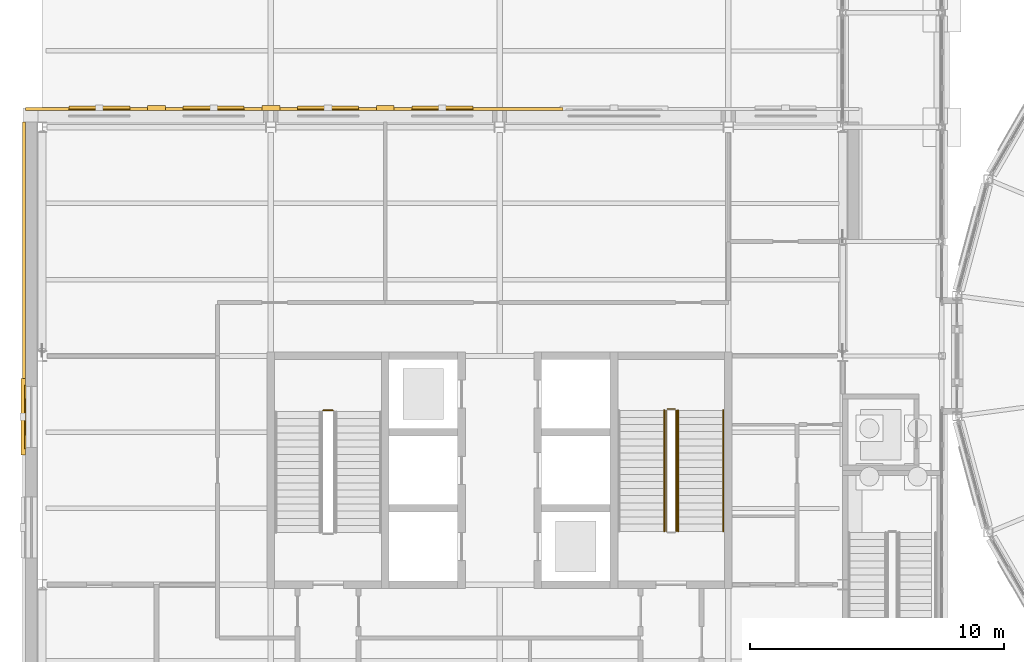
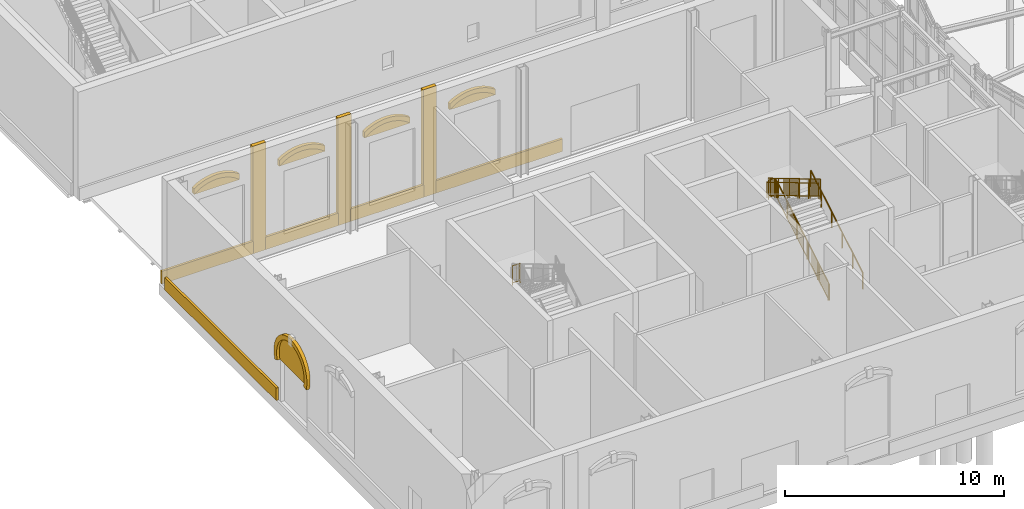
# One storey, part 91 of 106: 18 coverings, 7 railings.
"""IFC4 building model written with IfcOpenShell, lengths in metres."""

from ifc_helpers import new_model, si_unit, direction, frame, origin, origin_2d, place, context, subcontext, project, spatial, polyline, rectangle, circle, outline, extrude, material, layer, layer_set, type_object, element, save


model = new_model("IFC4")

# Units and contexts
model_context = context("Model", 3, precision=1e-05, world=origin(), true_north=direction((0.0, 1.0)))
body_context = subcontext(model_context, "Body", "Model", "MODEL_VIEW")
ifc_project = project(units=[si_unit("LENGTHUNIT", "METRE"), si_unit("AREAUNIT", "SQUARE_METRE"), si_unit("VOLUMEUNIT", "CUBIC_METRE"), si_unit("PLANEANGLEUNIT", "RADIAN"), si_unit("MASSUNIT", "GRAM", prefix="KILO")], contexts=[model_context])

# Site, building, storey
site_placement = place(None, origin())
site = spatial("IfcSite", under=ifc_project, at=site_placement, CompositionType="ELEMENT")
building_placement = place(site_placement, origin())
building = spatial("IfcBuilding", under=site, at=building_placement, Name="Hortulan Conservatory and Botanical Research Centre", CompositionType="ELEMENT")
storey_placement = place(building_placement, origin())
storey = spatial("IfcBuildingStorey", under=building, at=storey_placement, Name="L00", CompositionType="ELEMENT", Elevation=0.0)

# Coverings
ifc_material_1 = material(Name="Sandstone masonry (Hawkesbury yellow block)", Category="masonry")
ifc_layer_1 = layer(ifc_material_1, 0.1201171875)
ifc_layer_set_1 = layer_set([ifc_layer_1], Name="Rusticated Sandstone Base Course 700x120")
covering_type_1 = type_object("IfcCoveringType", Name="Rusticated Sandstone Base Course 700x120", PredefinedType="CLADDING", material=ifc_layer_set_1)
covering_1_placement = place(storey_placement, frame((-0.7099609375, 22.10009765625, 0.0), z_axis=(0.0, 0.0, 1.0), x_axis=(0.0, 1.0, 0.0)))
element("IfcCovering", 1, at=covering_1_placement, inside=storey, type_object=covering_type_1, Name="String course", PredefinedType="CLADDING", context=body_context, shape_type="SweptSolid", body=[
    extrude(rectangle(XDim=10.199951171875, YDim=0.1201171875, at=origin_2d()), origin(), (0.0, 0.0, 1.0), 0.699951171875),
])
covering_2_placement = place(storey_placement, frame((1.764892578125, 27.720947265625, 0.0), z_axis=(0.0, 0.0, 1.0), x_axis=(1.0, 0.0, 0.0)))
element("IfcCovering", 2, at=covering_2_placement, inside=storey, type_object=covering_type_1, Name="String course", PredefinedType="CLADDING", context=body_context, shape_type="SweptSolid", body=[
    extrude(rectangle(XDim=4.830078125, YDim=0.1201171875, at=origin_2d()), origin(), (0.0, 0.0, 1.0), 0.699951171875),
])
for number, where, z_axis, x_axis, name in (
    (3, (6.75, 27.720947265625, 0.0), (0.0, 0.0, 1.0), (1.0, 0.0, 0.0), "String course"),
    (4, (11.25, 27.720947265625, 0.0), (0.0, 0.0, 1.0), (1.0, 0.0, 0.0), "String course"),
):
    element("IfcCovering", number, at=place(storey_placement, frame(where, z_axis=z_axis, x_axis=x_axis)), inside=storey, type_object=covering_type_1, Name=name, PredefinedType="CLADDING", context=body_context, shape_type="SweptSolid", body=[
        extrude(rectangle(XDim=3.860107421875, YDim=0.1201171875, at=origin_2d()), origin(), (0.0, 0.0, 1.0), 0.699951171875),
    ])
covering_3_placement = place(storey_placement, frame((17.159912109375, 27.720947265625, 0.0), z_axis=(0.0, 0.0, 1.0), x_axis=(1.0, 0.0, 0.0)))
element("IfcCovering", 5, at=covering_3_placement, inside=storey, type_object=covering_type_1, Name="String course", PredefinedType="CLADDING", context=body_context, shape_type="SweptSolid", body=[
    extrude(rectangle(XDim=6.679931640625, YDim=0.1201171875, at=origin_2d()), origin(), (0.0, 0.0, 1.0), 0.699951171875),
])
ifc_layer_2 = layer(ifc_material_1, 0.179931640625)
ifc_layer_set_2 = layer_set([ifc_layer_2], Name="Sandstone Arch Band 250")
covering_type_2 = type_object("IfcCoveringType", Name="Sandstone Arch Band 250", PredefinedType="CLADDING", material=ifc_layer_set_2)
for number, where, z_axis, x_axis, name in (
    (6, (1.050048828125, 27.7509765625, 4.39990234375), (0.0, 0.0, 1.0), (1.0, 0.0, 0.0), "Arched window head"),
    (7, (5.550048828125, 27.7509765625, 4.39990234375), (0.0, 0.0, 1.0), (1.0, 0.0, 0.0), "Arched window head"),
    (8, (10.050048828125, 27.7509765625, 4.39990234375), (0.0, 0.0, 1.0), (1.0, 0.0, 0.0), "Arched window head"),
    (9, (14.550048828125, 27.7509765625, 4.39990234375), (0.0, 0.0, 1.0), (1.0, 0.0, 0.0), "Arched window head"),
):
    element("IfcCovering", number, at=place(storey_placement, frame(where, z_axis=z_axis, x_axis=x_axis)), inside=storey, type_object=covering_type_2, Name=name, PredefinedType="CLADDING", context=body_context, shape_type="SweptSolid", body=[
        extrude(outline(polyline([(0.0, 0.0), (0.239990234375, 0.17724609375), (0.47998046875, 0.302001953125), (0.719970703125, 0.3857421875), (0.9599609375, 0.434326171875), (1.199951171875, 0.4501953125), (1.43994140625, 0.434326171875), (1.679931640625, 0.3857421875), (1.919921875, 0.302001953125), (2.159912109375, 0.17724609375), (2.39990234375, 0.0), (2.39990234375, 0.31787109375), (2.159912109375, 0.464599609375), (1.919921875, 0.5712890625), (1.679931640625, 0.643798828125), (1.43994140625, 0.686279296875), (1.199951171875, 0.7001953125), (0.9599609375, 0.686279296875), (0.719970703125, 0.643798828125), (0.47998046875, 0.5712890625), (0.239990234375, 0.464599609375), (0.0, 0.31787109375), (0.0, 0.0)])), frame((0.0, 0.08984375, 0.0), z_axis=(0.0, -1.0, 0.0), x_axis=(1.0, 0.0, 0.0)), (0.0, 0.0, 1.0), 0.179931640625),
    ])
ifc_layer_3 = layer(ifc_material_1, 0.179931640625)
ifc_layer_set_3 = layer_set([ifc_layer_3], Name="Sandstone Horseshoe Band 250")
covering_type_3 = type_object("IfcCoveringType", Name="Sandstone Horseshoe Band 250", PredefinedType="CLADDING", material=ifc_layer_set_3)
covering_4_placement = place(storey_placement, frame((-0.739990234375, 14.088134765625, 2.32275390625), z_axis=(0.0, 0.0, 1.0), x_axis=(0.0, 1.0, 0.0)))
element("IfcCovering", 10, at=covering_4_placement, inside=storey, type_object=covering_type_3, Name="Horseshoe entrance head", PredefinedType="CLADDING", context=body_context, shape_type="SweptSolid", body=[
    extrude(outline(polyline([(0.311767578125, 0.0771484375), (0.2568359375, 0.335205078125), (0.2568359375, 0.59912109375), (0.311767578125, 0.85693359375), (0.4189453125, 1.09814453125), (0.57421875, 1.3115234375), (0.77001953125, 1.488037109375), (0.99853515625, 1.619873046875), (1.24951171875, 1.701416015625), (1.51171875, 1.72900390625), (1.774169921875, 1.701416015625), (2.02490234375, 1.619873046875), (2.25341796875, 1.488037109375), (2.449462890625, 1.3115234375), (2.6044921875, 1.09814453125), (2.7119140625, 0.85693359375), (2.7666015625, 0.59912109375), (2.7666015625, 0.335205078125), (2.7119140625, 0.0771484375), (2.949462890625, 0.0), (3.01513671875, 0.30908203125), (3.01513671875, 0.625244140625), (2.949462890625, 0.934326171875), (2.821044921875, 1.22314453125), (2.63525390625, 1.478759765625), (2.400390625, 1.690185546875), (2.126708984375, 1.84814453125), (1.826171875, 1.94580078125), (1.51171875, 1.97900390625), (1.197509765625, 1.94580078125), (0.89697265625, 1.84814453125), (0.623291015625, 1.690185546875), (0.38818359375, 1.478759765625), (0.202392578125, 1.22314453125), (0.073974609375, 0.934326171875), (0.00830078125, 0.625244140625), (0.00830078125, 0.30908203125), (0.073974609375, 0.0), (0.311767578125, 0.0771484375)])), frame((0.0, 0.08984375, 0.0), z_axis=(0.0, -1.0, 0.0), x_axis=(1.0, 0.0, 0.0)), (0.0, 0.0, 1.0), 0.179931640625),
])
ifc_layer_4 = layer(ifc_material_1, 0.199951171875)
ifc_layer_set_4 = layer_set([ifc_layer_4], Name="Sandstone Pilaster 700x200")
covering_type_4 = type_object("IfcCoveringType", Name="Sandstone Pilaster 700x200", PredefinedType="CLADDING", material=ifc_layer_set_4)
for number, where, z_axis, x_axis, name in (
    (11, (4.5, 27.760986328125, 0.0), (0.0, 0.0, 1.0), (1.0, 0.0, 0.0), "Pier"),
    (12, (9.0, 27.760986328125, 0.0), (0.0, 0.0, 1.0), (1.0, 0.0, 0.0), "Pier"),
    (13, (13.5, 27.760986328125, 0.0), (0.0, 0.0, 1.0), (1.0, 0.0, 0.0), "Pier"),
):
    element("IfcCovering", number, at=place(storey_placement, frame(where, z_axis=z_axis, x_axis=x_axis)), inside=storey, type_object=covering_type_4, Name=name, PredefinedType="CLADDING", context=body_context, shape_type="SweptSolid", body=[
        extrude(rectangle(XDim=0.699951171875, YDim=0.199951171875, at=origin_2d()), origin(), (0.0, 0.0, 1.0), 6.0),
    ])

# Railings
ifc_material_2 = material(Name="Steel balustrade, bronze-charcoal paint", Category="steel")
railing_type_1 = type_object("IfcRailingType", Name="Stair Guard 1100", PredefinedType="GUARDRAIL", material=ifc_material_2)
railing_1_placement = place(storey_placement, frame((11.449951171875, 15.860107421875, 3.0)))
element("IfcRailing", 14, at=railing_1_placement, inside=storey, type_object=railing_type_1, Name="Guard T1 L00 stair 2", PredefinedType="GUARDRAIL", context=body_context, shape_type="SweptSolid", body=[
    extrude(circle(Radius=0.02392578125, at=origin_2d()), frame((0.0, 0.0, 1.076171875), z_axis=(-1.0, 0.0, 0.0), x_axis=(0.0, -1.0, 0.0)), (0.0, 0.0, 1.0), 0.39990234375),
    extrude(circle(Radius=0.02392578125, at=origin_2d()), frame((0.0, 0.0, 0.1240234375), z_axis=(-1.0, 0.0, 0.0), x_axis=(0.0, -1.0, 0.0)), (0.0, 0.0, 1.0), 0.39990234375),
    extrude(circle(Radius=0.008056640625, at=origin_2d()), frame((-0.10009765625, 0.0, 0.148193359375)), (0.0, 0.0, 1.0), 0.90380859375),
    extrude(circle(Radius=0.008056640625, at=origin_2d()), frame((-0.199951171875, 0.0, 0.148193359375)), (0.0, 0.0, 1.0), 0.90380859375),
    extrude(circle(Radius=0.008056640625, at=origin_2d()), frame((-0.2998046875, 0.0, 0.148193359375)), (0.0, 0.0, 1.0), 0.90380859375),
    extrude(circle(Radius=0.02099609375, at=origin_2d()), origin(), (0.0, 0.0, 1.0), 1.052001953125),
    extrude(circle(Radius=0.02099609375, at=origin_2d()), frame((-0.39990234375, 0.0, 0.0)), (0.0, 0.0, 1.0), 1.052001953125),
])
railing_2_placement = place(storey_placement, frame((24.949951171875, 11.10009765625, 0.166748046875)))
element("IfcRailing", 15, at=railing_2_placement, inside=storey, type_object=railing_type_1, Name="Guard T2 L00 stair 1", PredefinedType="GUARDRAIL", context=body_context, shape_type="SweptSolid", body=[
    extrude(circle(Radius=0.02392578125, at=origin_2d()), frame((0.0, 0.0, 1.076171875), z_axis=(0.0, 0.859299802514, 0.511472237174), x_axis=(-1.0, 0.0, 0.0)), (0.0, 0.0, 1.0), 5.539306640625),
    extrude(circle(Radius=0.02392578125, at=origin_2d()), frame((0.0, 0.0, 0.1240234375), z_axis=(0.0, 0.859299802514, 0.511472237174), x_axis=(-1.0, 0.0, 0.0)), (0.0, 0.0, 1.0), 5.539306640625),
    extrude(circle(Radius=0.008056640625, at=origin_2d()), frame((0.0, 0.09326171875, 0.203857421875)), (0.0, 0.0, 1.0), 0.90380859375),
    extrude(circle(Radius=0.008056640625, at=origin_2d()), frame((0.0, 0.186767578125, 0.25927734375)), (0.0, 0.0, 1.0), 0.90380859375),
    extrude(circle(Radius=0.008056640625, at=origin_2d()), frame((0.0, 0.280029296875, 0.31494140625)), (0.0, 0.0, 1.0), 0.90380859375),
    extrude(circle(Radius=0.008056640625, at=origin_2d()), frame((0.0, 0.373291015625, 0.370361328125)), (0.0, 0.0, 1.0), 0.90380859375),
    extrude(circle(Radius=0.008056640625, at=origin_2d()), frame((0.0, 0.466552734375, 0.426025390625)), (0.0, 0.0, 1.0), 0.90380859375),
    extrude(circle(Radius=0.008056640625, at=origin_2d()), frame((0.0, 0.56005859375, 0.4814453125)), (0.0, 0.0, 1.0), 0.90380859375),
    extrude(circle(Radius=0.008056640625, at=origin_2d()), frame((0.0, 0.6533203125, 0.537109375)), (0.0, 0.0, 1.0), 0.90380859375),
    extrude(circle(Radius=0.008056640625, at=origin_2d()), frame((0.0, 0.74658203125, 0.592529296875)), (0.0, 0.0, 1.0), 0.90380859375),
    extrude(circle(Radius=0.008056640625, at=origin_2d()), frame((0.0, 0.840087890625, 0.648193359375)), (0.0, 0.0, 1.0), 0.90380859375),
    extrude(circle(Radius=0.008056640625, at=origin_2d()), frame((0.0, 0.933349609375, 0.70361328125)), (0.0, 0.0, 1.0), 0.90380859375),
    extrude(circle(Radius=0.008056640625, at=origin_2d()), frame((0.0, 1.026611328125, 0.75927734375)), (0.0, 0.0, 1.0), 0.90380859375),
    extrude(circle(Radius=0.008056640625, at=origin_2d()), frame((0.0, 1.1201171875, 0.81494140625)), (0.0, 0.0, 1.0), 0.90380859375),
    extrude(circle(Radius=0.008056640625, at=origin_2d()), frame((0.0, 1.21337890625, 0.870361328125)), (0.0, 0.0, 1.0), 0.90380859375),
    extrude(circle(Radius=0.008056640625, at=origin_2d()), frame((0.0, 1.306640625, 0.926025390625)), (0.0, 0.0, 1.0), 0.90380859375),
    extrude(circle(Radius=0.008056640625, at=origin_2d()), frame((0.0, 1.39990234375, 0.9814453125)), (0.0, 0.0, 1.0), 0.90380859375),
    extrude(circle(Radius=0.008056640625, at=origin_2d()), frame((0.0, 1.493408203125, 1.037109375)), (0.0, 0.0, 1.0), 0.90380859375),
    extrude(circle(Radius=0.008056640625, at=origin_2d()), frame((0.0, 1.586669921875, 1.092529296875)), (0.0, 0.0, 1.0), 0.90380859375),
    extrude(circle(Radius=0.008056640625, at=origin_2d()), frame((0.0, 1.679931640625, 1.148193359375)), (0.0, 0.0, 1.0), 0.90380859375),
    extrude(circle(Radius=0.008056640625, at=origin_2d()), frame((0.0, 1.7734375, 1.20361328125)), (0.0, 0.0, 1.0), 0.90380859375),
    extrude(circle(Radius=0.008056640625, at=origin_2d()), frame((0.0, 1.86669921875, 1.25927734375)), (0.0, 0.0, 1.0), 0.90380859375),
    extrude(circle(Radius=0.008056640625, at=origin_2d()), frame((0.0, 1.9599609375, 1.31494140625)), (0.0, 0.0, 1.0), 0.90380859375),
    extrude(circle(Radius=0.008056640625, at=origin_2d()), frame((0.0, 2.05322265625, 1.370361328125)), (0.0, 0.0, 1.0), 0.90380859375),
    extrude(circle(Radius=0.008056640625, at=origin_2d()), frame((0.0, 2.146728515625, 1.426025390625)), (0.0, 0.0, 1.0), 0.90380859375),
    extrude(circle(Radius=0.008056640625, at=origin_2d()), frame((0.0, 2.239990234375, 1.4814453125)), (0.0, 0.0, 1.0), 0.90380859375),
    extrude(circle(Radius=0.008056640625, at=origin_2d()), frame((0.0, 2.333251953125, 1.537109375)), (0.0, 0.0, 1.0), 0.90380859375),
    extrude(circle(Radius=0.008056640625, at=origin_2d()), frame((0.0, 2.4267578125, 1.592529296875)), (0.0, 0.0, 1.0), 0.90380859375),
    extrude(circle(Radius=0.008056640625, at=origin_2d()), frame((0.0, 2.52001953125, 1.648193359375)), (0.0, 0.0, 1.0), 0.90380859375),
    extrude(circle(Radius=0.008056640625, at=origin_2d()), frame((0.0, 2.61328125, 1.70361328125)), (0.0, 0.0, 1.0), 0.90380859375),
    extrude(circle(Radius=0.008056640625, at=origin_2d()), frame((0.0, 2.706787109375, 1.75927734375)), (0.0, 0.0, 1.0), 0.90380859375),
    extrude(circle(Radius=0.008056640625, at=origin_2d()), frame((0.0, 2.800048828125, 1.814697265625)), (0.0, 0.0, 1.0), 0.90380859375),
    extrude(circle(Radius=0.008056640625, at=origin_2d()), frame((0.0, 2.893310546875, 1.870361328125)), (0.0, 0.0, 1.0), 0.90380859375),
    extrude(circle(Radius=0.008056640625, at=origin_2d()), frame((0.0, 2.986572265625, 1.926025390625)), (0.0, 0.0, 1.0), 0.90380859375),
    extrude(circle(Radius=0.008056640625, at=origin_2d()), frame((0.0, 3.080078125, 1.9814453125)), (0.0, 0.0, 1.0), 0.90380859375),
    extrude(circle(Radius=0.008056640625, at=origin_2d()), frame((0.0, 3.17333984375, 2.037109375)), (0.0, 0.0, 1.0), 0.90380859375),
    extrude(circle(Radius=0.008056640625, at=origin_2d()), frame((0.0, 3.2666015625, 2.092529296875)), (0.0, 0.0, 1.0), 0.90380859375),
    extrude(circle(Radius=0.008056640625, at=origin_2d()), frame((0.0, 3.360107421875, 2.148193359375)), (0.0, 0.0, 1.0), 0.90380859375),
    extrude(circle(Radius=0.008056640625, at=origin_2d()), frame((0.0, 3.453369140625, 2.20361328125)), (0.0, 0.0, 1.0), 0.90380859375),
    extrude(circle(Radius=0.008056640625, at=origin_2d()), frame((0.0, 3.546630859375, 2.25927734375)), (0.0, 0.0, 1.0), 0.90380859375),
    extrude(circle(Radius=0.008056640625, at=origin_2d()), frame((0.0, 3.639892578125, 2.314697265625)), (0.0, 0.0, 1.0), 0.90380859375),
    extrude(circle(Radius=0.008056640625, at=origin_2d()), frame((0.0, 3.7333984375, 2.370361328125)), (0.0, 0.0, 1.0), 0.90380859375),
    extrude(circle(Radius=0.008056640625, at=origin_2d()), frame((0.0, 3.82666015625, 2.426025390625)), (0.0, 0.0, 1.0), 0.90380859375),
    extrude(circle(Radius=0.008056640625, at=origin_2d()), frame((0.0, 3.919921875, 2.4814453125)), (0.0, 0.0, 1.0), 0.90380859375),
    extrude(circle(Radius=0.008056640625, at=origin_2d()), frame((0.0, 4.013427734375, 2.537109375)), (0.0, 0.0, 1.0), 0.90380859375),
    extrude(circle(Radius=0.008056640625, at=origin_2d()), frame((0.0, 4.106689453125, 2.592529296875)), (0.0, 0.0, 1.0), 0.90380859375),
    extrude(circle(Radius=0.008056640625, at=origin_2d()), frame((0.0, 4.199951171875, 2.648193359375)), (0.0, 0.0, 1.0), 0.90380859375),
    extrude(circle(Radius=0.008056640625, at=origin_2d()), frame((0.0, 4.29345703125, 2.70361328125)), (0.0, 0.0, 1.0), 0.90380859375),
    extrude(circle(Radius=0.008056640625, at=origin_2d()), frame((0.0, 4.38671875, 2.75927734375)), (0.0, 0.0, 1.0), 0.90380859375),
    extrude(circle(Radius=0.008056640625, at=origin_2d()), frame((0.0, 4.47998046875, 2.814697265625)), (0.0, 0.0, 1.0), 0.90380859375),
    extrude(circle(Radius=0.008056640625, at=origin_2d()), frame((0.0, 4.5732421875, 2.870361328125)), (0.0, 0.0, 1.0), 0.90380859375),
    extrude(circle(Radius=0.008056640625, at=origin_2d()), frame((0.0, 4.666748046875, 2.92578125)), (0.0, 0.0, 1.0), 0.90380859375),
    extrude(circle(Radius=0.02099609375, at=origin_2d()), origin(), (0.0, 0.0, 1.0), 1.052001953125),
    extrude(circle(Radius=0.02099609375, at=origin_2d()), frame((0.0, 0.951904296875, 0.566650390625)), (0.0, 0.0, 1.0), 1.052001953125),
    extrude(circle(Radius=0.02099609375, at=origin_2d()), frame((0.0, 1.904052734375, 1.13330078125)), (0.0, 0.0, 1.0), 1.052001953125),
    extrude(circle(Radius=0.02099609375, at=origin_2d()), frame((0.0, 2.85595703125, 1.699951171875)), (0.0, 0.0, 1.0), 1.052001953125),
    extrude(circle(Radius=0.02099609375, at=origin_2d()), frame((0.0, 3.80810546875, 2.2666015625)), (0.0, 0.0, 1.0), 1.052001953125),
    extrude(circle(Radius=0.02099609375, at=origin_2d()), frame((0.0, 4.760009765625, 2.833251953125)), (0.0, 0.0, 1.0), 1.052001953125),
])
railing_3_placement = place(storey_placement, frame((24.89990234375, 15.909912109375, 3.0)))
element("IfcRailing", 16, at=railing_3_placement, inside=storey, type_object=railing_type_1, Name="Guard T2 L00 stair 2", PredefinedType="GUARDRAIL", context=body_context, shape_type="SweptSolid", body=[
    extrude(circle(Radius=0.02392578125, at=origin_2d()), frame((0.0, 0.0, 1.076171875), z_axis=(-1.0, 0.0, 0.0), x_axis=(0.0, -1.0, 0.0)), (0.0, 0.0, 1.0), 0.2998046875),
    extrude(circle(Radius=0.02392578125, at=origin_2d()), frame((0.0, 0.0, 0.1240234375), z_axis=(-1.0, 0.0, 0.0), x_axis=(0.0, -1.0, 0.0)), (0.0, 0.0, 1.0), 0.2998046875),
    extrude(circle(Radius=0.008056640625, at=origin_2d()), frame((-0.099853515625, 0.0, 0.148193359375)), (0.0, 0.0, 1.0), 0.90380859375),
    extrude(circle(Radius=0.008056640625, at=origin_2d()), frame((-0.199951171875, 0.0, 0.148193359375)), (0.0, 0.0, 1.0), 0.90380859375),
    extrude(circle(Radius=0.02099609375, at=origin_2d()), origin(), (0.0, 0.0, 1.0), 1.052001953125),
    extrude(circle(Radius=0.02099609375, at=origin_2d()), frame((-0.2998046875, 0.0, 0.0)), (0.0, 0.0, 1.0), 1.052001953125),
])
railing_4_placement = place(storey_placement, frame((24.550048828125, 15.860107421875, 3.166748046875)))
element("IfcRailing", 17, at=railing_4_placement, inside=storey, type_object=railing_type_1, Name="Guard T2 L00 stair 3", PredefinedType="GUARDRAIL", context=body_context, shape_type="SweptSolid", body=[
    extrude(circle(Radius=0.02392578125, at=origin_2d()), frame((0.0, 0.0, 1.076171875), z_axis=(0.0, -0.859299802514, 0.511472237174), x_axis=(1.0, 0.0, 0.0)), (0.0, 0.0, 1.0), 5.539306640625),
    extrude(circle(Radius=0.02392578125, at=origin_2d()), frame((0.0, 0.0, 0.1240234375), z_axis=(0.0, -0.859299802514, 0.511472237174), x_axis=(1.0, 0.0, 0.0)), (0.0, 0.0, 1.0), 5.539306640625),
    extrude(circle(Radius=0.008056640625, at=origin_2d()), frame((0.0, -0.09326171875, 0.203857421875)), (0.0, 0.0, 1.0), 0.90380859375),
    extrude(circle(Radius=0.008056640625, at=origin_2d()), frame((0.0, -0.186767578125, 0.25927734375)), (0.0, 0.0, 1.0), 0.90380859375),
    extrude(circle(Radius=0.008056640625, at=origin_2d()), frame((0.0, -0.280029296875, 0.31494140625)), (0.0, 0.0, 1.0), 0.90380859375),
    extrude(circle(Radius=0.008056640625, at=origin_2d()), frame((0.0, -0.373291015625, 0.370361328125)), (0.0, 0.0, 1.0), 0.90380859375),
    extrude(circle(Radius=0.008056640625, at=origin_2d()), frame((0.0, -0.466552734375, 0.426025390625)), (0.0, 0.0, 1.0), 0.90380859375),
    extrude(circle(Radius=0.008056640625, at=origin_2d()), frame((0.0, -0.56005859375, 0.4814453125)), (0.0, 0.0, 1.0), 0.90380859375),
    extrude(circle(Radius=0.008056640625, at=origin_2d()), frame((0.0, -0.6533203125, 0.537109375)), (0.0, 0.0, 1.0), 0.90380859375),
    extrude(circle(Radius=0.008056640625, at=origin_2d()), frame((0.0, -0.74658203125, 0.592529296875)), (0.0, 0.0, 1.0), 0.90380859375),
    extrude(circle(Radius=0.008056640625, at=origin_2d()), frame((0.0, -0.840087890625, 0.648193359375)), (0.0, 0.0, 1.0), 0.90380859375),
    extrude(circle(Radius=0.008056640625, at=origin_2d()), frame((0.0, -0.933349609375, 0.70361328125)), (0.0, 0.0, 1.0), 0.90380859375),
    extrude(circle(Radius=0.008056640625, at=origin_2d()), frame((0.0, -1.026611328125, 0.75927734375)), (0.0, 0.0, 1.0), 0.90380859375),
    extrude(circle(Radius=0.008056640625, at=origin_2d()), frame((0.0, -1.1201171875, 0.81494140625)), (0.0, 0.0, 1.0), 0.90380859375),
    extrude(circle(Radius=0.008056640625, at=origin_2d()), frame((0.0, -1.21337890625, 0.870361328125)), (0.0, 0.0, 1.0), 0.90380859375),
    extrude(circle(Radius=0.008056640625, at=origin_2d()), frame((0.0, -1.306640625, 0.926025390625)), (0.0, 0.0, 1.0), 0.90380859375),
    extrude(circle(Radius=0.008056640625, at=origin_2d()), frame((0.0, -1.39990234375, 0.9814453125)), (0.0, 0.0, 1.0), 0.90380859375),
    extrude(circle(Radius=0.008056640625, at=origin_2d()), frame((0.0, -1.493408203125, 1.037109375)), (0.0, 0.0, 1.0), 0.90380859375),
    extrude(circle(Radius=0.008056640625, at=origin_2d()), frame((0.0, -1.586669921875, 1.092529296875)), (0.0, 0.0, 1.0), 0.90380859375),
    extrude(circle(Radius=0.008056640625, at=origin_2d()), frame((0.0, -1.679931640625, 1.148193359375)), (0.0, 0.0, 1.0), 0.90380859375),
    extrude(circle(Radius=0.008056640625, at=origin_2d()), frame((0.0, -1.7734375, 1.20361328125)), (0.0, 0.0, 1.0), 0.90380859375),
    extrude(circle(Radius=0.008056640625, at=origin_2d()), frame((0.0, -1.86669921875, 1.25927734375)), (0.0, 0.0, 1.0), 0.90380859375),
    extrude(circle(Radius=0.008056640625, at=origin_2d()), frame((0.0, -1.9599609375, 1.31494140625)), (0.0, 0.0, 1.0), 0.90380859375),
    extrude(circle(Radius=0.008056640625, at=origin_2d()), frame((0.0, -2.05322265625, 1.370361328125)), (0.0, 0.0, 1.0), 0.90380859375),
    extrude(circle(Radius=0.008056640625, at=origin_2d()), frame((0.0, -2.146728515625, 1.426025390625)), (0.0, 0.0, 1.0), 0.90380859375),
    extrude(circle(Radius=0.008056640625, at=origin_2d()), frame((0.0, -2.239990234375, 1.4814453125)), (0.0, 0.0, 1.0), 0.90380859375),
    extrude(circle(Radius=0.008056640625, at=origin_2d()), frame((0.0, -2.333251953125, 1.537109375)), (0.0, 0.0, 1.0), 0.90380859375),
    extrude(circle(Radius=0.008056640625, at=origin_2d()), frame((0.0, -2.4267578125, 1.592529296875)), (0.0, 0.0, 1.0), 0.90380859375),
    extrude(circle(Radius=0.008056640625, at=origin_2d()), frame((0.0, -2.52001953125, 1.648193359375)), (0.0, 0.0, 1.0), 0.90380859375),
    extrude(circle(Radius=0.008056640625, at=origin_2d()), frame((0.0, -2.61328125, 1.70361328125)), (0.0, 0.0, 1.0), 0.90380859375),
    extrude(circle(Radius=0.008056640625, at=origin_2d()), frame((0.0, -2.706787109375, 1.75927734375)), (0.0, 0.0, 1.0), 0.90380859375),
    extrude(circle(Radius=0.008056640625, at=origin_2d()), frame((0.0, -2.800048828125, 1.814697265625)), (0.0, 0.0, 1.0), 0.90380859375),
    extrude(circle(Radius=0.008056640625, at=origin_2d()), frame((0.0, -2.893310546875, 1.870361328125)), (0.0, 0.0, 1.0), 0.90380859375),
    extrude(circle(Radius=0.008056640625, at=origin_2d()), frame((0.0, -2.986572265625, 1.926025390625)), (0.0, 0.0, 1.0), 0.90380859375),
    extrude(circle(Radius=0.008056640625, at=origin_2d()), frame((0.0, -3.080078125, 1.9814453125)), (0.0, 0.0, 1.0), 0.90380859375),
    extrude(circle(Radius=0.008056640625, at=origin_2d()), frame((0.0, -3.17333984375, 2.037109375)), (0.0, 0.0, 1.0), 0.90380859375),
    extrude(circle(Radius=0.008056640625, at=origin_2d()), frame((0.0, -3.2666015625, 2.092529296875)), (0.0, 0.0, 1.0), 0.90380859375),
    extrude(circle(Radius=0.008056640625, at=origin_2d()), frame((0.0, -3.360107421875, 2.148193359375)), (0.0, 0.0, 1.0), 0.90380859375),
    extrude(circle(Radius=0.008056640625, at=origin_2d()), frame((0.0, -3.453369140625, 2.20361328125)), (0.0, 0.0, 1.0), 0.90380859375),
    extrude(circle(Radius=0.008056640625, at=origin_2d()), frame((0.0, -3.546630859375, 2.25927734375)), (0.0, 0.0, 1.0), 0.90380859375),
    extrude(circle(Radius=0.008056640625, at=origin_2d()), frame((0.0, -3.639892578125, 2.314697265625)), (0.0, 0.0, 1.0), 0.90380859375),
    extrude(circle(Radius=0.008056640625, at=origin_2d()), frame((0.0, -3.7333984375, 2.370361328125)), (0.0, 0.0, 1.0), 0.90380859375),
    extrude(circle(Radius=0.008056640625, at=origin_2d()), frame((0.0, -3.82666015625, 2.426025390625)), (0.0, 0.0, 1.0), 0.90380859375),
    extrude(circle(Radius=0.008056640625, at=origin_2d()), frame((0.0, -3.919921875, 2.4814453125)), (0.0, 0.0, 1.0), 0.90380859375),
    extrude(circle(Radius=0.008056640625, at=origin_2d()), frame((0.0, -4.013427734375, 2.537109375)), (0.0, 0.0, 1.0), 0.90380859375),
    extrude(circle(Radius=0.008056640625, at=origin_2d()), frame((0.0, -4.106689453125, 2.592529296875)), (0.0, 0.0, 1.0), 0.90380859375),
    extrude(circle(Radius=0.008056640625, at=origin_2d()), frame((0.0, -4.199951171875, 2.648193359375)), (0.0, 0.0, 1.0), 0.90380859375),
    extrude(circle(Radius=0.008056640625, at=origin_2d()), frame((0.0, -4.29345703125, 2.70361328125)), (0.0, 0.0, 1.0), 0.90380859375),
    extrude(circle(Radius=0.008056640625, at=origin_2d()), frame((0.0, -4.38671875, 2.75927734375)), (0.0, 0.0, 1.0), 0.90380859375),
    extrude(circle(Radius=0.008056640625, at=origin_2d()), frame((0.0, -4.47998046875, 2.814697265625)), (0.0, 0.0, 1.0), 0.90380859375),
    extrude(circle(Radius=0.008056640625, at=origin_2d()), frame((0.0, -4.5732421875, 2.870361328125)), (0.0, 0.0, 1.0), 0.90380859375),
    extrude(circle(Radius=0.008056640625, at=origin_2d()), frame((0.0, -4.666748046875, 2.92578125)), (0.0, 0.0, 1.0), 0.90380859375),
    extrude(circle(Radius=0.02099609375, at=origin_2d()), origin(), (0.0, 0.0, 1.0), 1.052001953125),
    extrude(circle(Radius=0.02099609375, at=origin_2d()), frame((0.0, -0.951904296875, 0.566650390625)), (0.0, 0.0, 1.0), 1.052001953125),
    extrude(circle(Radius=0.02099609375, at=origin_2d()), frame((0.0, -1.904052734375, 1.13330078125)), (0.0, 0.0, 1.0), 1.052001953125),
    extrude(circle(Radius=0.02099609375, at=origin_2d()), frame((0.0, -2.85595703125, 1.699951171875)), (0.0, 0.0, 1.0), 1.052001953125),
    extrude(circle(Radius=0.02099609375, at=origin_2d()), frame((0.0, -3.80810546875, 2.2666015625)), (0.0, 0.0, 1.0), 1.052001953125),
    extrude(circle(Radius=0.02099609375, at=origin_2d()), frame((0.0, -4.760009765625, 2.833251953125)), (0.0, 0.0, 1.0), 1.052001953125),
])
ifc_material_3 = material(Name="Bronze handrail, polished", Category="metal")
railing_type_2 = type_object("IfcRailingType", Name="Stair Handrail 900", PredefinedType="HANDRAIL", material=ifc_material_3)
for number, where, name in (
    (18, (26.800048828125, 11.10009765625, 0.166748046875), "Handrail T2 L00 stair 1"),
    (19, (25.02001953125, 11.10009765625, 0.166748046875), "Handrail T2 L00 stair 3"),
):
    element("IfcRailing", number, at=place(storey_placement, frame(where)), inside=storey, type_object=railing_type_2, Name=name, PredefinedType="HANDRAIL", context=body_context, shape_type="SweptSolid", body=[
        extrude(circle(Radius=0.02392578125, at=origin_2d()), frame((0.0, 0.0, 0.8759765625), z_axis=(0.0, 0.859299802514, 0.511472237174), x_axis=(-1.0, 0.0, 0.0)), (0.0, 0.0, 1.0), 5.539306640625),
        extrude(circle(Radius=0.02099609375, at=origin_2d()), origin(), (0.0, 0.0, 1.0), 0.851806640625),
        extrude(circle(Radius=0.02099609375, at=origin_2d()), frame((0.0, 0.951904296875, 0.566650390625)), (0.0, 0.0, 1.0), 0.851806640625),
        extrude(circle(Radius=0.02099609375, at=origin_2d()), frame((0.0, 1.904052734375, 1.13330078125)), (0.0, 0.0, 1.0), 0.851806640625),
        extrude(circle(Radius=0.02099609375, at=origin_2d()), frame((0.0, 2.85595703125, 1.699951171875)), (0.0, 0.0, 1.0), 0.851806640625),
        extrude(circle(Radius=0.02099609375, at=origin_2d()), frame((0.0, 3.80810546875, 2.2666015625)), (0.0, 0.0, 1.0), 0.851806640625),
        extrude(circle(Radius=0.02099609375, at=origin_2d()), frame((0.0, 4.760009765625, 2.833251953125)), (0.0, 0.0, 1.0), 0.851806640625),
    ])
railing_5_placement = place(storey_placement, frame((24.47998046875, 15.860107421875, 3.166748046875)))
element("IfcRailing", 20, at=railing_5_placement, inside=storey, type_object=railing_type_2, Name="Handrail T2 L00 stair 4", PredefinedType="HANDRAIL", context=body_context, shape_type="SweptSolid", body=[
    extrude(circle(Radius=0.02392578125, at=origin_2d()), frame((0.0, 0.0, 0.8759765625), z_axis=(0.0, -0.859299802514, 0.511472237174), x_axis=(1.0, 0.0, 0.0)), (0.0, 0.0, 1.0), 5.539306640625),
    extrude(circle(Radius=0.02099609375, at=origin_2d()), origin(), (0.0, 0.0, 1.0), 0.851806640625),
    extrude(circle(Radius=0.02099609375, at=origin_2d()), frame((0.0, -0.951904296875, 0.566650390625)), (0.0, 0.0, 1.0), 0.851806640625),
    extrude(circle(Radius=0.02099609375, at=origin_2d()), frame((0.0, -1.904052734375, 1.13330078125)), (0.0, 0.0, 1.0), 0.851806640625),
    extrude(circle(Radius=0.02099609375, at=origin_2d()), frame((0.0, -2.85595703125, 1.699951171875)), (0.0, 0.0, 1.0), 0.851806640625),
    extrude(circle(Radius=0.02099609375, at=origin_2d()), frame((0.0, -3.80810546875, 2.2666015625)), (0.0, 0.0, 1.0), 0.851806640625),
    extrude(circle(Radius=0.02099609375, at=origin_2d()), frame((0.0, -4.760009765625, 2.833251953125)), (0.0, 0.0, 1.0), 0.851806640625),
])

# Coverings
ifc_material_4 = material(Name="Faience cladding, harbour teal glaze (non-combustible)", Category="ceramic")
ifc_layer_5 = layer(ifc_material_4, 0.0400390625)
ifc_layer_set_5 = layer_set([ifc_layer_5], Name="Teal Faience Tympanum 40")
covering_type_5 = type_object("IfcCoveringType", Name="Teal Faience Tympanum 40", PredefinedType="CLADDING", material=ifc_layer_set_5)
for number, where, z_axis, x_axis, name in (
    (21, (1.050048828125, 27.680908203125, 4.39990234375), (0.0, 0.0, 1.0), (1.0, 0.0, 0.0), "Faience tympanum"),
    (22, (5.550048828125, 27.680908203125, 4.39990234375), (0.0, 0.0, 1.0), (1.0, 0.0, 0.0), "Faience tympanum"),
    (23, (10.050048828125, 27.680908203125, 4.39990234375), (0.0, 0.0, 1.0), (1.0, 0.0, 0.0), "Faience tympanum"),
    (24, (14.550048828125, 27.680908203125, 4.39990234375), (0.0, 0.0, 1.0), (1.0, 0.0, 0.0), "Faience tympanum"),
):
    element("IfcCovering", number, at=place(storey_placement, frame(where, z_axis=z_axis, x_axis=x_axis)), inside=storey, type_object=covering_type_5, Name=name, PredefinedType="CLADDING", context=body_context, shape_type="SweptSolid", body=[
        extrude(outline(polyline([(0.0, 0.0), (0.239990234375, 0.17724609375), (0.47998046875, 0.302001953125), (0.719970703125, 0.3857421875), (0.9599609375, 0.434326171875), (1.199951171875, 0.4501953125), (1.43994140625, 0.434326171875), (1.679931640625, 0.3857421875), (1.919921875, 0.302001953125), (2.159912109375, 0.17724609375), (2.39990234375, 0.0), (2.39990234375, 0.0), (0.0, 0.0), (0.0, 0.0)])), frame((0.0, 0.02001953125, 0.0), z_axis=(0.0, -1.0, 0.0), x_axis=(1.0, 0.0, 0.0)), (0.0, 0.0, 1.0), 0.0400390625),
    ])
covering_5_placement = place(storey_placement, frame((-0.669921875, 14.088134765625, 2.39990234375), z_axis=(0.0, 0.0, 1.0), x_axis=(0.0, 1.0, 0.0)))
element("IfcCovering", 25, at=covering_5_placement, inside=storey, type_object=covering_type_5, Name="Faience tympanum", PredefinedType="CLADDING", context=body_context, shape_type="SweptSolid", body=[
    extrude(outline(polyline([(0.311767578125, 0.0), (0.2568359375, 0.258056640625), (0.2568359375, 0.52197265625), (0.311767578125, 0.77978515625), (0.4189453125, 1.02099609375), (0.57421875, 1.234375), (0.77001953125, 1.410888671875), (0.99853515625, 1.542724609375), (1.24951171875, 1.624267578125), (1.51171875, 1.65185546875), (1.774169921875, 1.624267578125), (2.02490234375, 1.542724609375), (2.25341796875, 1.410888671875), (2.449462890625, 1.234375), (2.6044921875, 1.02099609375), (2.7119140625, 0.77978515625), (2.7666015625, 0.52197265625), (2.7666015625, 0.258056640625), (2.7119140625, 0.0), (2.7119140625, 0.0), (0.311767578125, 0.0), (0.311767578125, 0.0)])), frame((0.0, 0.02001953125, 0.0), z_axis=(0.0, -1.0, 0.0), x_axis=(1.0, 0.0, 0.0)), (0.0, 0.0, 1.0), 0.0400390625),
])

save(model, "model.ifc")
